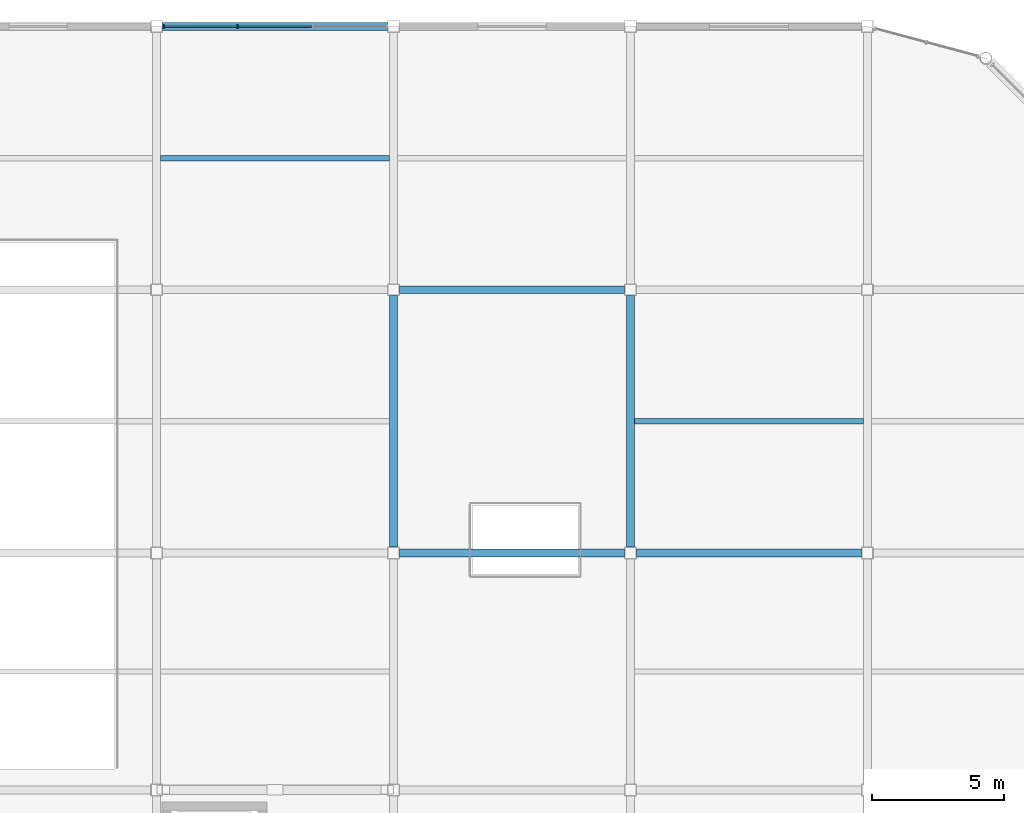
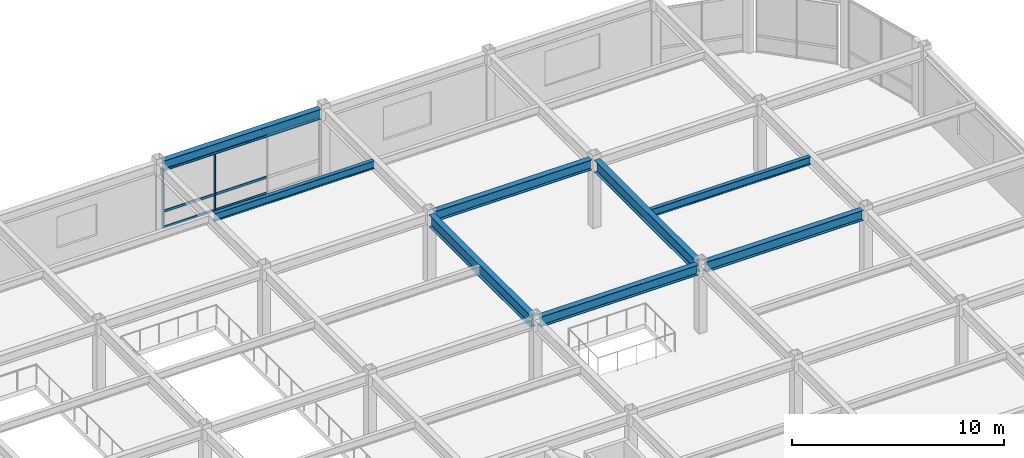
# One storey, part 46 of 105: 8 beams, 8 members, 1 element without a shape of its own.
"""IFC4 building model written with IfcOpenShell, lengths in metres."""

from ifc_helpers import new_model, si_unit, direction, frame, origin, origin_2d, place, context, subcontext, project, spatial, rectangle, i_section, extrude, material, material_profile, profile_set, type_object, element, aggregate, save


model = new_model("IFC4")

# Units and contexts
model_context = context("Model", 3, precision=1e-05, world=origin(), true_north=direction((0.0, 1.0)))
body_context = subcontext(model_context, "Body", "Model", "MODEL_VIEW")
ifc_project = project(units=[si_unit("LENGTHUNIT", "METRE"), si_unit("AREAUNIT", "SQUARE_METRE"), si_unit("VOLUMEUNIT", "CUBIC_METRE"), si_unit("PLANEANGLEUNIT", "RADIAN"), si_unit("MASSUNIT", "GRAM", prefix="KILO")], contexts=[model_context])

# Site, building, storey
site_placement = place(None, origin())
site = spatial("IfcSite", under=ifc_project, at=site_placement, CompositionType="ELEMENT")
building_placement = place(site_placement, origin())
building = spatial("IfcBuilding", under=site, at=building_placement, Name="Suzunagisa Mobility Hub", CompositionType="ELEMENT")
storey_placement = place(building_placement, frame((0.0, 0.0, 5.10009765625)))
storey = spatial("IfcBuildingStorey", under=building, at=storey_placement, Name="L01", CompositionType="ELEMENT", Elevation=5.10009765625)

# Curtain wall, members
ifc_material_1 = material(Name="Thermally Broken Anodized Aluminum and Low-E Glazing", Category="aluminium")
curtain_wall_type = type_object("IfcCurtainWallType", Name="Unitised Curtain Wall CW-29 8500x3400", PredefinedType="USERDEFINED", material=ifc_material_1)
curtain_wall_placement = place(storey_placement, origin())
curtain_wall = element("IfcCurtainWall", 1, at=curtain_wall_placement, inside=storey, type_object=curtain_wall_type, Name="L01 Unitised Curtain Wall CW-107", ObjectType="UNITISED CURTAIN WALL", PredefinedType="USERDEFINED")
ifc_material_2 = material(Name="Anodized Aluminum 6063-T6", Category="aluminium")
ifc_material_profile_1 = material_profile(ifc_material_2, rectangle(XDim=0.06494140625, YDim=0.139892578125, at=origin_2d()), Name="TRAN-65x140")
ifc_profile_set_1 = profile_set([ifc_material_profile_1], Name="Anodized Aluminum 6063-T6")
member_type_1 = type_object("IfcMemberType", Name="Curtain Wall Framing CM-01 TRAN-65x140", PredefinedType="USERDEFINED", material=ifc_profile_set_1)
member_1_placement = place(storey_placement, frame((95.89697265625, 118.0, 0.032470703125), z_axis=(-1.0, 0.0, 0.0), x_axis=(0.0, -1.0, 0.0)))
member_1 = element("IfcMember", 2, at=member_1_placement, type_object=member_type_1, Name="Curtain Wall Transom 107-T2.1", ObjectType="TRANSOM", PredefinedType="USERDEFINED", context=body_context, shape_type="SweptSolid", body=[
    extrude(rectangle(XDim=0.06494140625, YDim=0.139892578125, at=origin_2d()), origin(), (0.0, 0.0, 1.0), 2.7939453125),
])
member_2_placement = place(storey_placement, frame((95.89697265625, 118.0, 0.949951171875), z_axis=(-1.0, 0.0, 0.0), x_axis=(0.0, -1.0, 0.0)))
member_2 = element("IfcMember", 3, at=member_2_placement, type_object=member_type_1, Name="Curtain Wall Transom 107-T2.2", ObjectType="TRANSOM", PredefinedType="USERDEFINED", context=body_context, shape_type="SweptSolid", body=[
    extrude(rectangle(XDim=0.06494140625, YDim=0.139892578125, at=origin_2d()), origin(), (0.0, 0.0, 1.0), 2.7939453125),
])
member_3_placement = place(storey_placement, frame((95.89697265625, 118.0, 3.3193359375), z_axis=(-1.0, 0.0, 0.0), x_axis=(0.0, -1.0, 0.0)))
member_3 = element("IfcMember", 4, at=member_3_placement, type_object=member_type_1, Name="Curtain Wall Transom 107-T2.3", ObjectType="TRANSOM", PredefinedType="USERDEFINED", context=body_context, shape_type="SweptSolid", body=[
    extrude(rectangle(XDim=0.06494140625, YDim=0.139892578125, at=origin_2d()), origin(), (0.0, 0.0, 1.0), 2.7939453125),
])
member_4_placement = place(storey_placement, frame((93.047119140625, 118.0, 0.032470703125), z_axis=(-1.0, 0.0, 0.0), x_axis=(0.0, -1.0, 0.0)))
member_4 = element("IfcMember", 5, at=member_4_placement, type_object=member_type_1, Name="Curtain Wall Transom 107-T3.1", ObjectType="TRANSOM", PredefinedType="USERDEFINED", context=body_context, shape_type="SweptSolid", body=[
    extrude(rectangle(XDim=0.06494140625, YDim=0.139892578125, at=origin_2d()), origin(), (0.0, 0.0, 1.0), 2.76416015625),
])
member_5_placement = place(storey_placement, frame((93.047119140625, 118.0, 0.949951171875), z_axis=(-1.0, 0.0, 0.0), x_axis=(0.0, -1.0, 0.0)))
member_5 = element("IfcMember", 6, at=member_5_placement, type_object=member_type_1, Name="Curtain Wall Transom 107-T3.2", ObjectType="TRANSOM", PredefinedType="USERDEFINED", context=body_context, shape_type="SweptSolid", body=[
    extrude(rectangle(XDim=0.06494140625, YDim=0.139892578125, at=origin_2d()), origin(), (0.0, 0.0, 1.0), 2.76416015625),
])
member_6_placement = place(storey_placement, frame((93.047119140625, 118.0, 3.3193359375), z_axis=(-1.0, 0.0, 0.0), x_axis=(0.0, -1.0, 0.0)))
member_6 = element("IfcMember", 7, at=member_6_placement, type_object=member_type_1, Name="Curtain Wall Transom 107-T3.3", ObjectType="TRANSOM", PredefinedType="USERDEFINED", context=body_context, shape_type="SweptSolid", body=[
    extrude(rectangle(XDim=0.06494140625, YDim=0.139892578125, at=origin_2d()), origin(), (0.0, 0.0, 1.0), 2.76416015625),
])
ifc_material_profile_2 = material_profile(ifc_material_2, rectangle(XDim=0.06005859375, YDim=0.14990234375, at=origin_2d()), Name="MULL-60x150")
ifc_profile_set_2 = profile_set([ifc_material_profile_2], Name="Anodized Aluminum 6063-T6")
member_type_2 = type_object("IfcMemberType", Name="Curtain Wall Framing CM-03 MULL-60x150", PredefinedType="MULLION", material=ifc_profile_set_2)
member_7_placement = place(storey_placement, frame((93.074951171875, 118.0, 0.0), z_axis=(0.0, 0.0, 1.0), x_axis=(-1.0, 0.0, 0.0)))
member_7 = element("IfcMember", 8, at=member_7_placement, type_object=member_type_2, Name="Curtain Wall Mullion 107-M3", PredefinedType="MULLION", context=body_context, shape_type="SweptSolid", body=[
    extrude(rectangle(XDim=0.06005859375, YDim=0.14990234375, at=origin_2d()), origin(), (0.0, 0.0, 1.0), 3.351806640625),
])
member_8_placement = place(storey_placement, frame((90.2548828125, 118.0, 0.0), z_axis=(0.0, 0.0, 1.0), x_axis=(-1.0, 0.0, 0.0)))
member_8 = element("IfcMember", 9, at=member_8_placement, type_object=member_type_2, Name="Curtain Wall Mullion 107-M4", PredefinedType="MULLION", context=body_context, shape_type="SweptSolid", body=[
    extrude(rectangle(XDim=0.06005859375, YDim=0.14990234375, at=origin_2d()), origin(), (0.0, 0.0, 1.0), 3.351806640625),
])
aggregate(curtain_wall, [member_7, member_8, member_1, member_2, member_3, member_4, member_5, member_6])

# Beams
ifc_material_3 = material(Name="Steel SN400B", Category="steel")
ifc_material_profile_3 = material_profile(ifc_material_3, i_section(OverallWidth=0.199951171875, OverallDepth=0.449951171875, WebThickness=0.009033203125, FlangeThickness=0.013916015625, FilletRadius=0.012939453125, at=origin_2d()), Name="H-450x200x9x14")
ifc_profile_set_3 = profile_set([ifc_material_profile_3], Name="Steel SN400B")
beam_type_1 = type_object("IfcBeamType", Name="Steel Beam BM-05 H-450x200x9x14", PredefinedType="JOIST", material=ifc_profile_set_3)
for number, where, z_axis, x_axis, name in (
    (10, (90.14990234375, 113.0, 3.71484375), (1.0, 0.0, 0.0), (0.0, 1.0, 0.0), "L01 Composite Floor Joist J-905"),
    (11, (108.14990234375, 103.0, 3.71484375), (1.0, 0.0, 0.0), (0.0, 1.0, 0.0), "L01 Composite Floor Joist J-910"),
):
    element("IfcBeam", number, at=place(storey_placement, frame(where, z_axis=z_axis, x_axis=x_axis)), inside=storey, type_object=beam_type_1, Name=name, PredefinedType="JOIST", context=body_context, shape_type="SweptSolid", body=[
        extrude(i_section(OverallWidth=0.199951171875, OverallDepth=0.449951171875, WebThickness=0.009033203125, FlangeThickness=0.013916015625, FilletRadius=0.012939453125, at=origin_2d()), origin(), (0.0, 0.0, 1.0), 8.7001953125),
    ])
ifc_material_4 = material(Name="Steel SN490B", Category="steel")
ifc_material_profile_4 = material_profile(ifc_material_4, i_section(OverallWidth=0.300048828125, OverallDepth=0.699951171875, WebThickness=0.012939453125, FlangeThickness=0.02392578125, FilletRadius=0.01806640625, at=origin_2d()), Name="H-700x300x13x24")
ifc_profile_set_4 = profile_set([ifc_material_profile_4], Name="Steel SN490B")
beam_type_2 = type_object("IfcBeamType", Name="Steel Beam BM-11 H-700x300x13x24", PredefinedType="BEAM", material=ifc_profile_set_4)
for number, where, z_axis, x_axis, name in (
    (12, (99.0, 98.220947265625, 3.58984375), (0.0, 1.0, 0.0), (-1.0, 0.0, 0.0), "L01 Primary Girder GY-872"),
    (13, (108.0, 98.220947265625, 3.58984375), (0.0, 1.0, 0.0), (-1.0, 0.0, 0.0), "L01 Primary Girder GY-876"),
):
    element("IfcBeam", number, at=place(storey_placement, frame(where, z_axis=z_axis, x_axis=x_axis)), inside=storey, type_object=beam_type_2, Name=name, PredefinedType="BEAM", context=body_context, shape_type="SweptSolid", body=[
        extrude(i_section(OverallWidth=0.300048828125, OverallDepth=0.699951171875, WebThickness=0.012939453125, FlangeThickness=0.02392578125, FilletRadius=0.01806640625, at=origin_2d()), origin(), (0.0, 0.0, 1.0), 9.55810546875),
    ])
ifc_material_profile_5 = material_profile(ifc_material_4, i_section(OverallWidth=0.300048828125, OverallDepth=0.587890625, WebThickness=0.011962890625, FlangeThickness=0.02001953125, FilletRadius=0.012939453125, at=origin_2d()), Name="H-588x300x12x20")
ifc_profile_set_5 = profile_set([ifc_material_profile_5], Name="Steel SN490B")
beam_type_3 = type_object("IfcBeamType", Name="Steel Beam BM-16 H-588x300x12x20", PredefinedType="BEAM", material=ifc_profile_set_5)
for number, where, z_axis, x_axis, name in (
    (14, (99.220947265625, 98.0, 3.64599609375), (1.0, 0.0, 0.0), (0.0, 1.0, 0.0), "L01 Primary Girder GX-826"),
    (15, (108.220947265625, 98.0, 3.64599609375), (1.0, 0.0, 0.0), (0.0, 1.0, 0.0), "L01 Primary Girder GX-827"),
    (16, (99.220947265625, 108.0, 3.64599609375), (1.0, 0.0, 0.0), (0.0, 1.0, 0.0), "L01 Primary Girder GX-835"),
    (17, (90.220947265625, 118.0, 3.64599609375), (1.0, 0.0, 0.0), (0.0, 1.0, 0.0), "L01 Primary Girder GX-843"),
):
    element("IfcBeam", number, at=place(storey_placement, frame(where, z_axis=z_axis, x_axis=x_axis)), inside=storey, type_object=beam_type_3, Name=name, PredefinedType="BEAM", context=body_context, shape_type="SweptSolid", body=[
        extrude(i_section(OverallWidth=0.300048828125, OverallDepth=0.587890625, WebThickness=0.011962890625, FlangeThickness=0.02001953125, FilletRadius=0.012939453125, at=origin_2d()), origin(), (0.0, 0.0, 1.0), 8.55810546875),
    ])

save(model, "model.ifc")
